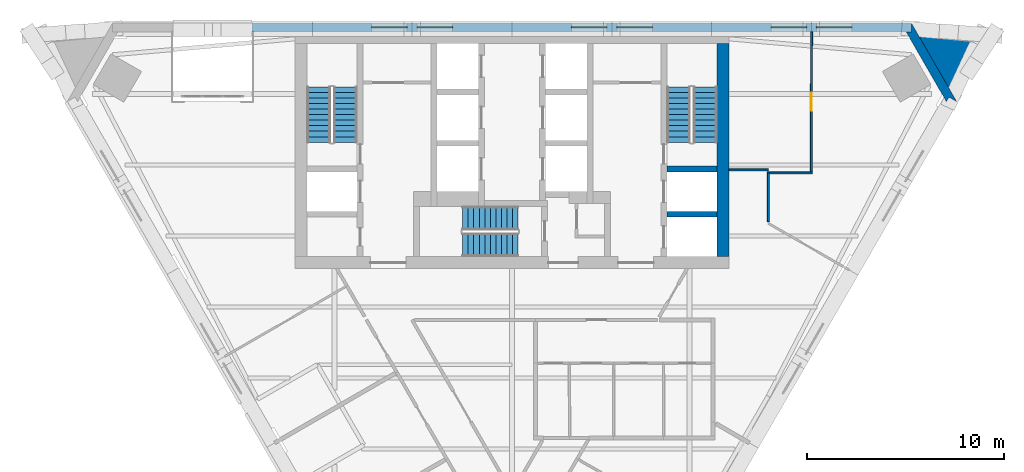
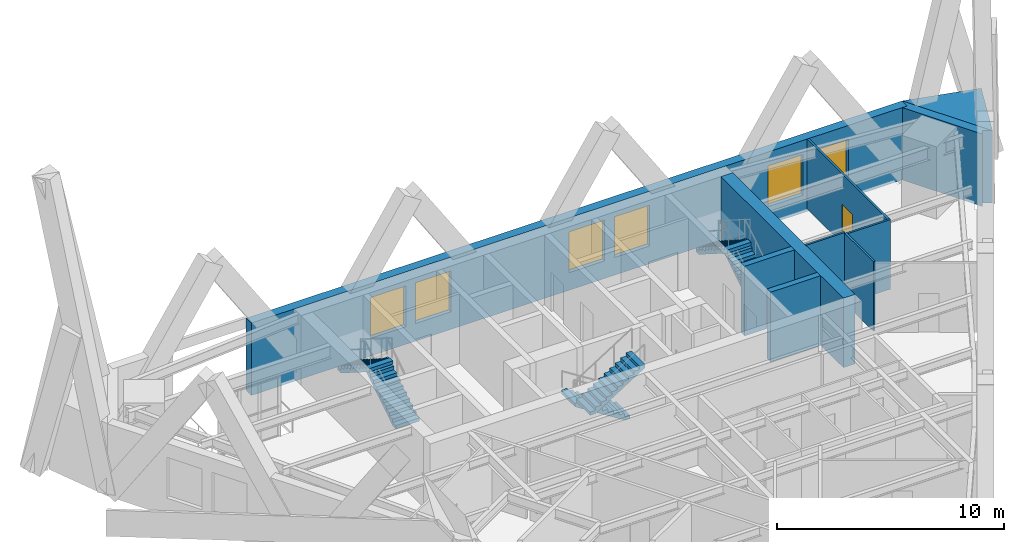
# One storey, part 7 of 9: 10 walls, 6 stair flights, 6 windows, 1 door, 7 openings, 3 elements without a shape of their own.
"""IFC4 building model written with IfcOpenShell, lengths in metres."""

from ifc_helpers import new_model, si_unit, direction, frame, frame_2d, origin, place, context, subcontext, project, spatial, polyline, rectangle, outline, extrude, material, layer, layer_set, type_object, element, fill, aggregate, save


model = new_model("IFC4")

# Units and contexts
model_context = context("Model", 3, precision=1e-05, world=origin(), true_north=direction((0.0, 1.0)))
body_context = subcontext(model_context, "Body", "Model", "MODEL_VIEW")
ifc_project = project(units=[si_unit("LENGTHUNIT", "METRE"), si_unit("AREAUNIT", "SQUARE_METRE"), si_unit("VOLUMEUNIT", "CUBIC_METRE"), si_unit("PLANEANGLEUNIT", "RADIAN"), si_unit("MASSUNIT", "GRAM", prefix="KILO")], contexts=[model_context])

# Site, building, storey
site_placement = place(None, origin())
site = spatial("IfcSite", under=ifc_project, at=site_placement, CompositionType="ELEMENT")
building_placement = place(site_placement, origin())
building = spatial("IfcBuilding", under=site, at=building_placement, Name="Aloe Facet Convention Tower", CompositionType="ELEMENT")
storey_placement = place(building_placement, frame((0.0, 0.0, 144.199951171875)))
storey = spatial("IfcBuildingStorey", under=building, at=storey_placement, Name="L36", CompositionType="ELEMENT", Elevation=144.199951171875)

# Walls
ifc_material_1 = material(Name="Concrete C60/75", Category="concrete")
ifc_layer_1 = layer(ifc_material_1, 0.300048828125)
ifc_layer_set_1 = layer_set([ifc_layer_1], Name="CR-W-RC300-C6075")
wall_type_1 = type_object("IfcWallType", Name="CR-W-RC300-C6075", PredefinedType="SOLIDWALL", material=ifc_layer_set_1)
for number, where, z_axis, x_axis, name in (
    (1, (87.85009765625, 127.60009765625, 0.0), (0.0, 0.0, 1.0), (1.0, 0.0, 0.0), "Core wall L36-029"),
    (2, (87.85009765625, 125.300048828125, 0.0), (0.0, 0.0, 1.0), (1.0, 0.0, 0.0), "Core wall L36-030"),
):
    element("IfcWall", number, at=place(storey_placement, frame(where, z_axis=z_axis, x_axis=x_axis)), inside=storey, type_object=wall_type_1, Name=name, PredefinedType="SOLIDWALL", context=body_context, shape_type="SweptSolid", body=[
        extrude(rectangle(XDim=2.5498046875, YDim=0.300048828125, at=frame_2d((1.27490234375, 0.0))), origin(), (0.0, 0.0, 1.0), 3.75),
    ])
ifc_material_2 = material(Name="Concrete C60/75", Category="concrete")
ifc_layer_2 = layer(ifc_material_2, 0.60009765625)
ifc_layer_set_2 = layer_set([ifc_layer_2], Name="CR-W-RC600-C6075")
wall_type_2 = type_object("IfcWallType", Name="CR-W-RC600-C6075", PredefinedType="SOLIDWALL", material=ifc_layer_set_2)
wall_1_placement = place(storey_placement, frame((90.699951171875, 133.949951171875, 0.0), z_axis=(0.0, 0.0, 1.0), x_axis=(0.0, -1.0, 0.0)))
element("IfcWall", 3, at=wall_1_placement, inside=storey, type_object=wall_type_2, Name="Core wall L36-031", PredefinedType="SOLIDWALL", context=body_context, shape_type="SweptSolid", body=[
    extrude(rectangle(XDim=10.800048828125, YDim=0.60009765625, at=frame_2d((5.39990234375, 0.0))), origin(), (0.0, 0.0, 1.0), 3.75),
])
ifc_material_3 = material(Name="Precast concrete C40/50", Category="concrete")
ifc_layer_3 = layer(ifc_material_3, 0.449951171875)
ifc_layer_set_3 = layer_set([ifc_layer_3], Name="EV-WALL-PIER")
wall_type_3 = type_object("IfcWallType", Name="EV-WALL-PIER", PredefinedType="SOLIDWALL", material=ifc_layer_set_3)
wall_2_placement = place(storey_placement, frame((0.0, 0.0, -0.14990234375)))
element("IfcWall", 4, at=wall_2_placement, inside=storey, type_object=wall_type_3, Name="EP-L36-C", PredefinedType="SOLIDWALL", context=body_context, shape_type="SweptSolid", body=[
    extrude(outline(polyline([(102.54296875, 131.016357421875), (102.1533203125, 131.2412109375), (102.0234375, 131.016357421875), (99.983154296875, 134.550048828125), (100.2431640625, 134.550048828125), (100.2431640625, 135.0), (102.54296875, 131.016357421875)])), origin(), (0.0, 0.0, 1.0), 3.89990234375),
])
ifc_material_4 = material(Name="Precast concrete C40/50", Category="concrete")
ifc_layer_4 = layer(ifc_material_4, 3.947998046875)
ifc_layer_set_4 = layer_set([ifc_layer_4], Name="EV-WALL-SPINE")
wall_type_4 = type_object("IfcWallType", Name="EV-WALL-SPINE", PredefinedType="SOLIDWALL", material=ifc_layer_set_4)
wall_3_placement = place(storey_placement, frame((0.0, 0.0, -0.14990234375)))
element("IfcWall", 5, at=wall_3_placement, inside=storey, type_object=wall_type_4, Name="SP-NE-L36", PredefinedType="SOLIDWALL", context=body_context, shape_type="SweptSolid", body=[
    extrude(outline(polyline([(102.54296875, 131.016357421875), (103.75244140625, 134.10009765625), (100.2431640625, 135.0), (102.54296875, 131.016357421875)])), origin(), (0.0, 0.0, 1.0), 3.89990234375),
])

# Wall, openings, windows
ifc_material_5 = material(Name="Precast concrete C40/50", Category="concrete")
ifc_layer_5 = layer(ifc_material_5, 0.449951171875)
ifc_layer_set_5 = layer_set([ifc_layer_5], Name="EV-WALL-STONE")
wall_type_5 = type_object("IfcWallType", Name="EV-WALL-STONE", PredefinedType="SOLIDWALL", material=ifc_layer_set_5)
wall_4_placement = place(storey_placement, frame((100.2431640625, 134.77490234375, -0.14990234375), z_axis=(0.0, 0.0, 1.0), x_axis=(-1.0, 0.0, 0.0)))
wall_4 = element("IfcWall", 6, at=wall_4_placement, inside=storey, type_object=wall_type_5, Name="EW-L36-N01", PredefinedType="SOLIDWALL", context=body_context, shape_type="SweptSolid", body=[
    extrude(outline(polyline([(0.0, 0.0), (0.0, 3.89990234375), (33.42529296875, 3.89990234375), (33.42529296875, 0.0), (0.0, 0.0)])), frame((0.0, 0.22509765625, 0.0), z_axis=(0.0, -1.0, 0.0), x_axis=(1.0, 0.0, 0.0)), (0.0, 0.0, 1.0), 0.449951171875),
])
opening_1_placement = place(wall_4_placement, frame((3.0107421875, 0.0, 0.949951171875)))
opening_1 = element("IfcOpeningElement", 7, at=opening_1_placement, cuts=wall_4, Name="Opening W-L36-N01", PredefinedType="OPENING", context=body_context, shape_type="SweptSolid", body=[
    extrude(rectangle(XDim=1.800048828125, YDim=2.199951171875, at=frame_2d((0.89990234375, 1.10009765625))), frame((0.0, 0.23486328125, 0.0), z_axis=(0.0, -1.0, 0.0), x_axis=(1.0, 0.0, 0.0)), (0.0, 0.0, 1.0), 0.469970703125),
])
opening_2_placement = place(wall_4_placement, frame((5.310791015625, 0.0, 0.949951171875)))
opening_2 = element("IfcOpeningElement", 8, at=opening_2_placement, cuts=wall_4, Name="Opening W-L36-N02", PredefinedType="OPENING", context=body_context, shape_type="SweptSolid", body=[
    extrude(rectangle(XDim=1.800048828125, YDim=2.199951171875, at=frame_2d((0.89990234375, 1.10009765625))), frame((0.0, 0.23486328125, 0.0), z_axis=(0.0, -1.0, 0.0), x_axis=(1.0, 0.0, 0.0)), (0.0, 0.0, 1.0), 0.469970703125),
])
opening_3_placement = place(wall_4_placement, frame((13.13232421875, 0.0, 0.949951171875)))
opening_3 = element("IfcOpeningElement", 9, at=opening_3_placement, cuts=wall_4, Name="Opening W-L36-N03", PredefinedType="OPENING", context=body_context, shape_type="SweptSolid", body=[
    extrude(rectangle(XDim=1.800048828125, YDim=2.199951171875, at=frame_2d((0.89990234375, 1.10009765625))), frame((0.0, 0.23486328125, 0.0), z_axis=(0.0, -1.0, 0.0), x_axis=(1.0, 0.0, 0.0)), (0.0, 0.0, 1.0), 0.469970703125),
])
opening_4_placement = place(wall_4_placement, frame((15.432373046875, 0.0, 0.949951171875)))
opening_4 = element("IfcOpeningElement", 10, at=opening_4_placement, cuts=wall_4, Name="Opening W-L36-N04", PredefinedType="OPENING", context=body_context, shape_type="SweptSolid", body=[
    extrude(rectangle(XDim=1.800048828125, YDim=2.199951171875, at=frame_2d((0.89990234375, 1.10009765625))), frame((0.0, 0.23486328125, 0.0), z_axis=(0.0, -1.0, 0.0), x_axis=(1.0, 0.0, 0.0)), (0.0, 0.0, 1.0), 0.469970703125),
])
opening_5_placement = place(wall_4_placement, frame((23.25390625, 0.0, 0.949951171875)))
opening_5 = element("IfcOpeningElement", 11, at=opening_5_placement, cuts=wall_4, Name="Opening W-L36-N05", PredefinedType="OPENING", context=body_context, shape_type="SweptSolid", body=[
    extrude(rectangle(XDim=1.800048828125, YDim=2.199951171875, at=frame_2d((0.89990234375, 1.10009765625))), frame((0.0, 0.23486328125, 0.0), z_axis=(0.0, -1.0, 0.0), x_axis=(1.0, 0.0, 0.0)), (0.0, 0.0, 1.0), 0.469970703125),
])
opening_6_placement = place(wall_4_placement, frame((25.553955078125, 0.0, 0.949951171875)))
opening_6 = element("IfcOpeningElement", 12, at=opening_6_placement, cuts=wall_4, Name="Opening W-L36-N06", PredefinedType="OPENING", context=body_context, shape_type="SweptSolid", body=[
    extrude(rectangle(XDim=1.800048828125, YDim=2.199951171875, at=frame_2d((0.89990234375, 1.10009765625))), frame((0.0, 0.23486328125, 0.0), z_axis=(0.0, -1.0, 0.0), x_axis=(1.0, 0.0, 0.0)), (0.0, 0.0, 1.0), 0.469970703125),
])
ifc_material_6 = material(Name="Aluminium frame, clear double glazing", Category="aluminium")
window_type = type_object("IfcWindowType", Name="EV-WIN-O18", PartitioningType="SINGLE_PANEL", PredefinedType="WINDOW", material=ifc_material_6)
window_1_placement = place(opening_1_placement, origin())
window_1 = element("IfcWindow", 13, at=window_1_placement, inside=storey, type_object=window_type, Name="W-L36-N01", OverallHeight=2.199951171875, OverallWidth=1.800048828125, PartitioningType="SINGLE_PANEL", PredefinedType="WINDOW", context=body_context, shape_type="SweptSolid", body=[
    extrude(rectangle(XDim=1.800048828125, YDim=2.199951171875, at=frame_2d((0.89990234375, 1.10009765625))), frame((0.0, 0.030029296875, 0.0), z_axis=(0.0, -1.0, 0.0), x_axis=(1.0, 0.0, 0.0)), (0.0, 0.0, 1.0), 0.06005859375),
])
fill(opening_1, window_1)
window_2_placement = place(opening_2_placement, origin())
window_2 = element("IfcWindow", 14, at=window_2_placement, inside=storey, type_object=window_type, Name="W-L36-N02", OverallHeight=2.199951171875, OverallWidth=1.800048828125, PartitioningType="SINGLE_PANEL", PredefinedType="WINDOW", context=body_context, shape_type="SweptSolid", body=[
    extrude(rectangle(XDim=1.800048828125, YDim=2.199951171875, at=frame_2d((0.89990234375, 1.10009765625))), frame((0.0, 0.030029296875, 0.0), z_axis=(0.0, -1.0, 0.0), x_axis=(1.0, 0.0, 0.0)), (0.0, 0.0, 1.0), 0.06005859375),
])
fill(opening_2, window_2)
window_3_placement = place(opening_3_placement, origin())
window_3 = element("IfcWindow", 15, at=window_3_placement, inside=storey, type_object=window_type, Name="W-L36-N03", OverallHeight=2.199951171875, OverallWidth=1.800048828125, PartitioningType="SINGLE_PANEL", PredefinedType="WINDOW", context=body_context, shape_type="SweptSolid", body=[
    extrude(rectangle(XDim=1.800048828125, YDim=2.199951171875, at=frame_2d((0.89990234375, 1.10009765625))), frame((0.0, 0.030029296875, 0.0), z_axis=(0.0, -1.0, 0.0), x_axis=(1.0, 0.0, 0.0)), (0.0, 0.0, 1.0), 0.06005859375),
])
fill(opening_3, window_3)
window_4_placement = place(opening_4_placement, origin())
window_4 = element("IfcWindow", 16, at=window_4_placement, inside=storey, type_object=window_type, Name="W-L36-N04", OverallHeight=2.199951171875, OverallWidth=1.800048828125, PartitioningType="SINGLE_PANEL", PredefinedType="WINDOW", context=body_context, shape_type="SweptSolid", body=[
    extrude(rectangle(XDim=1.800048828125, YDim=2.199951171875, at=frame_2d((0.89990234375, 1.10009765625))), frame((0.0, 0.030029296875, 0.0), z_axis=(0.0, -1.0, 0.0), x_axis=(1.0, 0.0, 0.0)), (0.0, 0.0, 1.0), 0.06005859375),
])
fill(opening_4, window_4)
window_5_placement = place(opening_5_placement, origin())
window_5 = element("IfcWindow", 17, at=window_5_placement, inside=storey, type_object=window_type, Name="W-L36-N05", OverallHeight=2.199951171875, OverallWidth=1.800048828125, PartitioningType="SINGLE_PANEL", PredefinedType="WINDOW", context=body_context, shape_type="SweptSolid", body=[
    extrude(rectangle(XDim=1.800048828125, YDim=2.199951171875, at=frame_2d((0.89990234375, 1.10009765625))), frame((0.0, 0.030029296875, 0.0), z_axis=(0.0, -1.0, 0.0), x_axis=(1.0, 0.0, 0.0)), (0.0, 0.0, 1.0), 0.06005859375),
])
fill(opening_5, window_5)
window_6_placement = place(opening_6_placement, origin())
window_6 = element("IfcWindow", 18, at=window_6_placement, inside=storey, type_object=window_type, Name="W-L36-N06", OverallHeight=2.199951171875, OverallWidth=1.800048828125, PartitioningType="SINGLE_PANEL", PredefinedType="WINDOW", context=body_context, shape_type="SweptSolid", body=[
    extrude(rectangle(XDim=1.800048828125, YDim=2.199951171875, at=frame_2d((0.89990234375, 1.10009765625))), frame((0.0, 0.030029296875, 0.0), z_axis=(0.0, -1.0, 0.0), x_axis=(1.0, 0.0, 0.0)), (0.0, 0.0, 1.0), 0.06005859375),
])
fill(opening_6, window_6)

# Walls
ifc_material_7 = material(Name="Gypsum board partition on steel studs", Category="steel")
ifc_layer_6 = layer(ifc_material_7, 0.10009765625)
ifc_layer_set_6 = layer_set([ifc_layer_6], Name="IN-W-PART")
wall_type_6 = type_object("IfcWallType", Name="IN-W-PART", PredefinedType="PARTITIONING", material=ifc_layer_set_6)
wall_5_placement = place(storey_placement, frame((93.0, 124.92529296875, 0.0), z_axis=(0.0, 0.0, 1.0), x_axis=(0.0, 1.0, 0.0)))
element("IfcWall", 19, at=wall_5_placement, inside=storey, type_object=wall_type_6, Name="Partition L36-W042", PredefinedType="PARTITIONING", context=body_context, shape_type="SweptSolid", body=[
    extrude(rectangle(XDim=2.524658203125, YDim=0.10009765625, at=frame_2d((1.26220703125, 0.0))), origin(), (0.0, 0.0, 1.0), 3.75),
])
wall_6_placement = place(storey_placement, frame((93.050048828125, 127.39990234375, 0.0), z_axis=(0.0, 0.0, 1.0), x_axis=(1.0, 0.0, 0.0)))
element("IfcWall", 20, at=wall_6_placement, inside=storey, type_object=wall_type_6, Name="Partition L36-W043", PredefinedType="PARTITIONING", context=body_context, shape_type="SweptSolid", body=[
    extrude(rectangle(XDim=2.18017578125, YDim=0.10009765625, at=frame_2d((1.090087890625, 0.0))), origin(), (0.0, 0.0, 1.0), 3.75),
])

# Wall, opening, door
wall_7_placement = place(storey_placement, frame((95.180419921875, 127.449951171875, 0.0), z_axis=(0.0, 0.0, 1.0), x_axis=(0.000687710449, 0.999999763527, 0.0)))
wall_7 = element("IfcWall", 21, at=wall_7_placement, inside=storey, type_object=wall_type_6, Name="Partition L36-W044", PredefinedType="PARTITIONING", context=body_context, shape_type="SweptSolid", body=[
    extrude(rectangle(XDim=7.10009765625, YDim=0.10009765625, at=frame_2d((3.550048828125, 0.0))), origin(), (0.0, 0.0, 1.0), 3.75),
])
opening_7_placement = place(wall_7_placement, frame((3.10009765625, 0.0, 0.0)))
opening_7 = element("IfcOpeningElement", 22, at=opening_7_placement, cuts=wall_7, Name="Opening L36-006", PredefinedType="OPENING", context=body_context, shape_type="SweptSolid", body=[
    extrude(rectangle(XDim=0.89990234375, YDim=2.10009765625, at=frame_2d((0.449951171875, 1.050048828125))), frame((0.0, 0.06005859375, 0.0), z_axis=(0.0, -1.0, 0.0), x_axis=(1.0, 0.0, 0.0)), (0.0, 0.0, 1.0), 0.1201171875),
])
ifc_material_8 = material(Name="Timber door", Category="wood")
door_type = type_object("IfcDoorType", Name="IN-OFF-D-ROOM", OperationType="SINGLE_SWING_LEFT", PredefinedType="DOOR", material=ifc_material_8)
door_placement = place(opening_7_placement, origin())
door = element("IfcDoor", 23, at=door_placement, inside=storey, type_object=door_type, Name="Door L36-006", OperationType="SINGLE_SWING_LEFT", OverallHeight=2.10009765625, OverallWidth=0.89990234375, PredefinedType="DOOR", context=body_context, shape_type="SweptSolid", body=[
    extrude(rectangle(XDim=0.89990234375, YDim=2.10009765625, at=frame_2d((0.449951171875, 1.050048828125))), frame((0.0, 0.02490234375, 0.0), z_axis=(0.0, -1.0, 0.0), x_axis=(1.0, 0.0, 0.0)), (0.0, 0.0, 1.0), 0.050048828125),
])
fill(opening_7, door)

# Wall
wall_8_placement = place(storey_placement, frame((91.0, 127.547119140625, 0.0), z_axis=(0.0, 0.0, 1.0), x_axis=(1.0, 0.0, 0.0)))
element("IfcWall", 24, at=wall_8_placement, inside=storey, type_object=wall_type_6, Name="Partition L36-W045", PredefinedType="PARTITIONING", context=body_context, shape_type="SweptSolid", body=[
    extrude(rectangle(XDim=1.996826171875, YDim=0.10009765625, at=frame_2d((0.99853515625, 0.0))), origin(), (0.0, 0.0, 1.0), 3.75),
])

# Stair, stair flights
ifc_material_9 = material(Name="Concrete C50/60", Category="concrete")
stair_type = type_object("IfcStairType", Name="CR-ST-22R", PredefinedType="HALF_TURN_STAIR", material=ifc_material_9)
stair_1_placement = place(storey_placement, origin())
stair_1 = element("IfcStair", 25, at=stair_1_placement, inside=storey, type_object=stair_type, Name="L36 Protected exit stair ST1", PredefinedType="HALF_TURN_STAIR")
ifc_material_10 = material(Name="Concrete C50/60", Category="concrete")
stair_flight_type = type_object("IfcStairFlightType", Name="CR-SFL-22R", PredefinedType="STRAIGHT", material=ifc_material_10)
stair_flight_1_placement = place(storey_placement, frame((71.550048828125, 128.949951171875, 0.0), z_axis=(0.0, 0.0, 1.0), x_axis=(0.0, 1.0, 0.0)))
stair_flight_1 = element("IfcStairFlight", 26, at=stair_flight_1_placement, type_object=stair_flight_type, Name="ST1 flight 1", NumberOfRisers=11, NumberOfTreads=10, PredefinedType="STRAIGHT", RiserHeight=0.177272727, TreadLength=0.28, context=body_context, shape_type="SweptSolid", body=[
    extrude(outline(polyline([(0.0, 0.0), (0.0, 0.17724609375), (0.280029296875, 0.17724609375), (0.280029296875, 0.3544921875), (0.56005859375, 0.3544921875), (0.56005859375, 0.53173828125), (0.840087890625, 0.53173828125), (0.840087890625, 0.708984375), (1.1201171875, 0.708984375), (1.1201171875, 0.886474609375), (1.39990234375, 0.886474609375), (1.39990234375, 1.063720703125), (1.679931640625, 1.063720703125), (1.679931640625, 1.240966796875), (1.9599609375, 1.240966796875), (1.9599609375, 1.418212890625), (2.239990234375, 1.418212890625), (2.239990234375, 1.595458984375), (2.52001953125, 1.595458984375), (2.52001953125, 1.772705078125), (2.800048828125, 1.772705078125), (2.800048828125, 1.949951171875), (2.800048828125, 1.59521484375), (0.2802734375, 0.0), (0.0, 0.0)])), frame((0.0, 0.60009765625, 0.0), z_axis=(0.0, -1.0, 0.0), x_axis=(1.0, 0.0, 0.0)), (0.0, 0.0, 1.0), 1.199951171875),
])
stair_flight_2_placement = place(storey_placement, frame((70.199951171875, 131.75, 1.949951171875), z_axis=(0.0, 0.0, 1.0), x_axis=(0.0, -1.0, 0.0)))
stair_flight_2 = element("IfcStairFlight", 27, at=stair_flight_2_placement, type_object=stair_flight_type, Name="ST1 flight 2", NumberOfRisers=11, NumberOfTreads=10, PredefinedType="STRAIGHT", RiserHeight=0.177272727, TreadLength=0.28, context=body_context, shape_type="SweptSolid", body=[
    extrude(outline(polyline([(0.0, 0.0), (0.0, 0.17724609375), (0.280029296875, 0.17724609375), (0.280029296875, 0.3544921875), (0.56005859375, 0.3544921875), (0.56005859375, 0.53173828125), (0.840087890625, 0.53173828125), (0.840087890625, 0.708984375), (1.1201171875, 0.708984375), (1.1201171875, 0.886474609375), (1.39990234375, 0.886474609375), (1.39990234375, 1.063720703125), (1.679931640625, 1.063720703125), (1.679931640625, 1.240966796875), (1.9599609375, 1.240966796875), (1.9599609375, 1.418212890625), (2.239990234375, 1.418212890625), (2.239990234375, 1.595458984375), (2.52001953125, 1.595458984375), (2.52001953125, 1.772705078125), (2.800048828125, 1.772705078125), (2.800048828125, 1.949951171875), (2.800048828125, 1.59521484375), (0.2802734375, 0.0), (0.0, 0.0)])), frame((0.0, 0.60009765625, 0.0), z_axis=(0.0, -1.0, 0.0), x_axis=(1.0, 0.0, 0.0)), (0.0, 0.0, 1.0), 1.199951171875),
])
aggregate(stair_1, [stair_flight_1, stair_flight_2])

stair_2_placement = place(storey_placement, origin())
stair_2 = element("IfcStair", 28, at=stair_2_placement, inside=storey, type_object=stair_type, Name="L36 Protected exit stair ST2", PredefinedType="HALF_TURN_STAIR")
stair_flight_3_placement = place(storey_placement, frame((89.800048828125, 128.949951171875, 0.0), z_axis=(0.0, 0.0, 1.0), x_axis=(0.0, 1.0, 0.0)))
stair_flight_3 = element("IfcStairFlight", 29, at=stair_flight_3_placement, type_object=stair_flight_type, Name="ST2 flight 1", NumberOfRisers=11, NumberOfTreads=10, PredefinedType="STRAIGHT", RiserHeight=0.177272727, TreadLength=0.28, context=body_context, shape_type="SweptSolid", body=[
    extrude(outline(polyline([(0.0, 0.0), (0.0, 0.17724609375), (0.280029296875, 0.17724609375), (0.280029296875, 0.3544921875), (0.56005859375, 0.3544921875), (0.56005859375, 0.53173828125), (0.840087890625, 0.53173828125), (0.840087890625, 0.708984375), (1.1201171875, 0.708984375), (1.1201171875, 0.886474609375), (1.39990234375, 0.886474609375), (1.39990234375, 1.063720703125), (1.679931640625, 1.063720703125), (1.679931640625, 1.240966796875), (1.9599609375, 1.240966796875), (1.9599609375, 1.418212890625), (2.239990234375, 1.418212890625), (2.239990234375, 1.595458984375), (2.52001953125, 1.595458984375), (2.52001953125, 1.772705078125), (2.800048828125, 1.772705078125), (2.800048828125, 1.949951171875), (2.800048828125, 1.59521484375), (0.2802734375, 0.0), (0.0, 0.0)])), frame((0.0, 0.60009765625, 0.0), z_axis=(0.0, -1.0, 0.0), x_axis=(1.0, 0.0, 0.0)), (0.0, 0.0, 1.0), 1.199951171875),
])
stair_flight_4_placement = place(storey_placement, frame((88.449951171875, 131.75, 1.949951171875), z_axis=(0.0, 0.0, 1.0), x_axis=(0.0, -1.0, 0.0)))
stair_flight_4 = element("IfcStairFlight", 30, at=stair_flight_4_placement, type_object=stair_flight_type, Name="ST2 flight 2", NumberOfRisers=11, NumberOfTreads=10, PredefinedType="STRAIGHT", RiserHeight=0.177272727, TreadLength=0.28, context=body_context, shape_type="SweptSolid", body=[
    extrude(outline(polyline([(0.0, 0.0), (0.0, 0.17724609375), (0.280029296875, 0.17724609375), (0.280029296875, 0.3544921875), (0.56005859375, 0.3544921875), (0.56005859375, 0.53173828125), (0.840087890625, 0.53173828125), (0.840087890625, 0.708984375), (1.1201171875, 0.708984375), (1.1201171875, 0.886474609375), (1.39990234375, 0.886474609375), (1.39990234375, 1.063720703125), (1.679931640625, 1.063720703125), (1.679931640625, 1.240966796875), (1.9599609375, 1.240966796875), (1.9599609375, 1.418212890625), (2.239990234375, 1.418212890625), (2.239990234375, 1.595458984375), (2.52001953125, 1.595458984375), (2.52001953125, 1.772705078125), (2.800048828125, 1.772705078125), (2.800048828125, 1.949951171875), (2.800048828125, 1.59521484375), (0.2802734375, 0.0), (0.0, 0.0)])), frame((0.0, 0.60009765625, 0.0), z_axis=(0.0, -1.0, 0.0), x_axis=(1.0, 0.0, 0.0)), (0.0, 0.0, 1.0), 1.199951171875),
])
aggregate(stair_2, [stair_flight_3, stair_flight_4])

stair_3_placement = place(storey_placement, origin())
stair_3 = element("IfcStair", 31, at=stair_3_placement, inside=storey, type_object=stair_type, Name="L36 Protected exit stair ST3", PredefinedType="HALF_TURN_STAIR")
stair_flight_5_placement = place(storey_placement, frame((80.300048828125, 125.10009765625, 0.0), z_axis=(0.0, 0.0, 1.0), x_axis=(-1.0, 0.0, 0.0)))
stair_flight_5 = element("IfcStairFlight", 32, at=stair_flight_5_placement, type_object=stair_flight_type, Name="ST3 flight 1", NumberOfRisers=11, NumberOfTreads=10, PredefinedType="STRAIGHT", RiserHeight=0.177272727, TreadLength=0.28, context=body_context, shape_type="SweptSolid", body=[
    extrude(outline(polyline([(0.0, 0.0), (0.0, 0.17724609375), (0.280029296875, 0.17724609375), (0.280029296875, 0.3544921875), (0.56005859375, 0.3544921875), (0.56005859375, 0.53173828125), (0.840087890625, 0.53173828125), (0.840087890625, 0.708984375), (1.1201171875, 0.708984375), (1.1201171875, 0.886474609375), (1.39990234375, 0.886474609375), (1.39990234375, 1.063720703125), (1.679931640625, 1.063720703125), (1.679931640625, 1.240966796875), (1.9599609375, 1.240966796875), (1.9599609375, 1.418212890625), (2.239990234375, 1.418212890625), (2.239990234375, 1.595458984375), (2.52001953125, 1.595458984375), (2.52001953125, 1.772705078125), (2.800048828125, 1.772705078125), (2.800048828125, 1.949951171875), (2.800048828125, 1.59521484375), (0.2802734375, 0.0), (0.0, 0.0)])), frame((0.0, 0.60009765625, 0.0), z_axis=(0.0, -1.0, 0.0), x_axis=(1.0, 0.0, 0.0)), (0.0, 0.0, 1.0), 1.199951171875),
])
stair_flight_6_placement = place(storey_placement, frame((77.5, 123.75, 1.949951171875), z_axis=(0.0, 0.0, 1.0), x_axis=(1.0, 0.0, 0.0)))
stair_flight_6 = element("IfcStairFlight", 33, at=stair_flight_6_placement, type_object=stair_flight_type, Name="ST3 flight 2", NumberOfRisers=11, NumberOfTreads=10, PredefinedType="STRAIGHT", RiserHeight=0.177272727, TreadLength=0.28, context=body_context, shape_type="SweptSolid", body=[
    extrude(outline(polyline([(0.0, 0.0), (0.0, 0.17724609375), (0.280029296875, 0.17724609375), (0.280029296875, 0.3544921875), (0.56005859375, 0.3544921875), (0.56005859375, 0.53173828125), (0.840087890625, 0.53173828125), (0.840087890625, 0.708984375), (1.1201171875, 0.708984375), (1.1201171875, 0.886474609375), (1.39990234375, 0.886474609375), (1.39990234375, 1.063720703125), (1.679931640625, 1.063720703125), (1.679931640625, 1.240966796875), (1.9599609375, 1.240966796875), (1.9599609375, 1.418212890625), (2.239990234375, 1.418212890625), (2.239990234375, 1.595458984375), (2.52001953125, 1.595458984375), (2.52001953125, 1.772705078125), (2.800048828125, 1.772705078125), (2.800048828125, 1.949951171875), (2.800048828125, 1.59521484375), (0.2802734375, 0.0), (0.0, 0.0)])), frame((0.0, 0.60009765625, 0.0), z_axis=(0.0, -1.0, 0.0), x_axis=(1.0, 0.0, 0.0)), (0.0, 0.0, 1.0), 1.199951171875),
])
aggregate(stair_3, [stair_flight_5, stair_flight_6])

save(model, "model.ifc")
